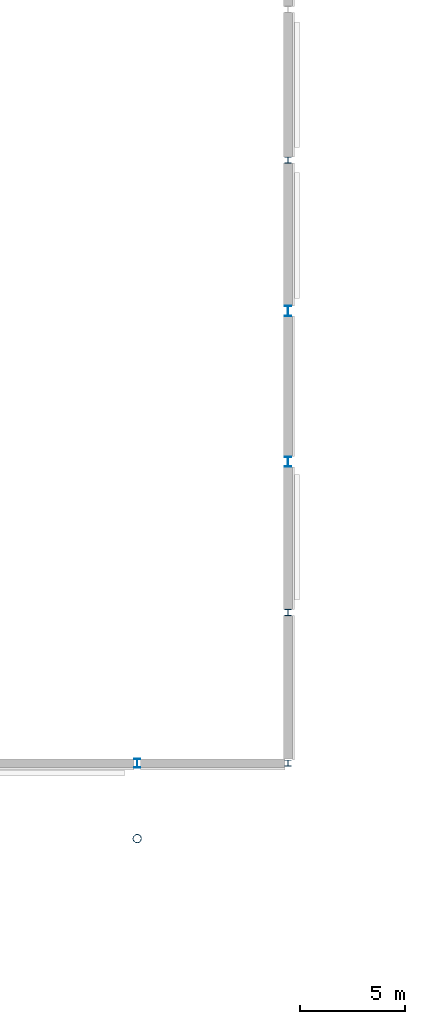
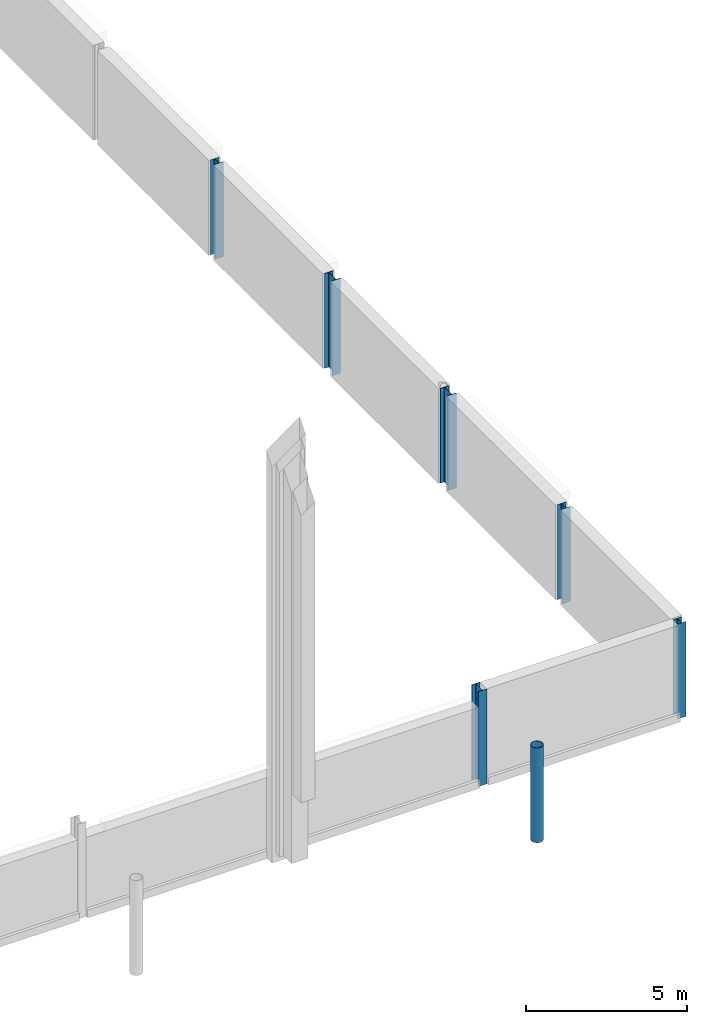
# One storey, part 17 of 90: 7 columns.
"""IFC4 building model written with IfcOpenShell, lengths in metres."""

from ifc_helpers import new_model, si_unit, direction, frame, origin, origin_2d, place, context, subcontext, project, spatial, hollow_circle, i_section, extrude, material, material_profile, profile_set, type_object, element, save


model = new_model("IFC4")

# Units and contexts
model_context = context("Model", 3, precision=1e-05, world=origin(), true_north=direction((0.0, 1.0)))
body_context = subcontext(model_context, "Body", "Model", "MODEL_VIEW")
ifc_project = project(units=[si_unit("LENGTHUNIT", "METRE"), si_unit("AREAUNIT", "SQUARE_METRE"), si_unit("VOLUMEUNIT", "CUBIC_METRE"), si_unit("PLANEANGLEUNIT", "RADIAN"), si_unit("MASSUNIT", "GRAM", prefix="KILO")], contexts=[model_context])

# Site, building, storey
site_placement = place(None, origin())
site = spatial("IfcSite", under=ifc_project, at=site_placement, CompositionType="ELEMENT")
building_placement = place(site_placement, origin())
building = spatial("IfcBuilding", under=site, at=building_placement, Name="Kupolbacken Congress Centre", CompositionType="ELEMENT")
storey_placement = place(building_placement, frame((0.0, 0.0, 3.60009765625)))
storey = spatial("IfcBuildingStorey", under=building, at=storey_placement, Name="L01", CompositionType="ELEMENT", Elevation=3.60009765625)

# Columns
ifc_material_1 = material(Name="Steel S355", Category="steel")
ifc_material_profile_1 = material_profile(ifc_material_1, i_section(OverallWidth=0.300048828125, OverallDepth=0.43994140625, WebThickness=0.011474609375, FlangeThickness=0.02099609375, FilletRadius=0.027099609375, at=origin_2d()), Name="HEA 450")
ifc_profile_set_1 = profile_set([ifc_material_profile_1], Name="Steel S355")
column_type_1 = type_object("IfcColumnType", Name="C07 column HEA 450", PredefinedType="COLUMN", material=ifc_profile_set_1)
column_1_placement = place(storey_placement, frame((194.39990234375, 43.199951171875, 0.0), z_axis=(0.0, 0.0, 1.0), x_axis=(1.0, 0.0, 0.0)))
element("IfcColumn", 1, at=column_1_placement, inside=storey, type_object=column_type_1, Name="S/col/C-H-T8S/L01", PredefinedType="COLUMN", context=body_context, shape_type="SweptSolid", body=[
    extrude(i_section(OverallWidth=0.300048828125, OverallDepth=0.43994140625, WebThickness=0.011474609375, FlangeThickness=0.02099609375, FilletRadius=0.027099609375, at=origin_2d()), origin(), (0.0, 0.0, 1.0), 3.599853515625),
])
ifc_material_2 = material(Name="Steel S355", Category="steel")
ifc_material_profile_2 = material_profile(ifc_material_2, i_section(OverallWidth=0.300048828125, OverallDepth=0.2900390625, WebThickness=0.008544921875, FlangeThickness=0.013916015625, FilletRadius=0.027099609375, at=origin_2d()), Name="HEA 300")
ifc_profile_set_2 = profile_set([ifc_material_profile_2], Name="Steel S355")
column_type_2 = type_object("IfcColumnType", Name="C09 column HEA 300", PredefinedType="COLUMN", material=ifc_profile_set_2)
for number, where, z_axis, x_axis, name in (
    (2, (201.60009765625, 43.199951171875, 0.0), (0.0, 0.0, 1.0), (1.0, 0.0, 0.0), "S/col/C-H-PE01/L01"),
    (3, (201.60009765625, 50.39990234375, 0.0), (0.0, 0.0, 1.0), (1.0, 0.0, 0.0), "S/col/C-H-PE02/L01"),
    (4, (201.60009765625, 72.0, 0.0), (0.0, 0.0, 1.0), (1.0, 0.0, 0.0), "S/col/C-H-PE05/L01"),
):
    element("IfcColumn", number, at=place(storey_placement, frame(where, z_axis=z_axis, x_axis=x_axis)), inside=storey, type_object=column_type_2, Name=name, PredefinedType="COLUMN", context=body_context, shape_type="SweptSolid", body=[
        extrude(i_section(OverallWidth=0.300048828125, OverallDepth=0.2900390625, WebThickness=0.008544921875, FlangeThickness=0.013916015625, FilletRadius=0.027099609375, at=origin_2d()), origin(), (0.0, 0.0, 1.0), 3.599853515625),
    ])
ifc_material_3 = material(Name="Steel S355", Category="steel")
ifc_material_profile_3 = material_profile(ifc_material_3, i_section(OverallWidth=0.300048828125, OverallDepth=0.489990234375, WebThickness=0.011962890625, FlangeThickness=0.02294921875, FilletRadius=0.027099609375, at=origin_2d()), Name="HEA 500")
ifc_profile_set_3 = profile_set([ifc_material_profile_3], Name="Steel S355")
column_type_3 = type_object("IfcColumnType", Name="C14 column HEA 500", PredefinedType="COLUMN", material=ifc_profile_set_3)
for number, where, z_axis, x_axis, name in (
    (5, (201.60009765625, 57.60009765625, 0.0), (0.0, 0.0, 1.0), (1.0, 0.0, 0.0), "S/col/C-H-PE03/L01"),
    (6, (201.60009765625, 64.800048828125, 0.0), (0.0, 0.0, 1.0), (1.0, 0.0, 0.0), "S/col/C-H-PE04/L01"),
):
    element("IfcColumn", number, at=place(storey_placement, frame(where, z_axis=z_axis, x_axis=x_axis)), inside=storey, type_object=column_type_3, Name=name, PredefinedType="COLUMN", context=body_context, shape_type="SweptSolid", body=[
        extrude(i_section(OverallWidth=0.300048828125, OverallDepth=0.489990234375, WebThickness=0.011962890625, FlangeThickness=0.02294921875, FilletRadius=0.027099609375, at=origin_2d()), origin(), (0.0, 0.0, 1.0), 3.599853515625),
    ])
ifc_material_4 = material(Name="Steel S355", Category="steel")
ifc_material_profile_4 = material_profile(ifc_material_4, hollow_circle(Radius=0.203125, WallThickness=0.01611328125, at=origin_2d()), Name="CHS 406.4 x 16")
ifc_profile_set_4 = profile_set([ifc_material_profile_4], Name="Steel S355")
column_type_4 = type_object("IfcColumnType", Name="C15 roof mast CHS 406.4 x 16", PredefinedType="COLUMN", material=ifc_profile_set_4)
column_2_placement = place(storey_placement, frame((194.39990234375, 39.60009765625, 0.0), z_axis=(0.0, 0.0, 1.0), x_axis=(1.0, 0.0, 0.0)))
element("IfcColumn", 7, at=column_2_placement, inside=storey, type_object=column_type_4, Name="Roof mast M8S", PredefinedType="COLUMN", context=body_context, shape_type="SweptSolid", body=[
    extrude(hollow_circle(Radius=0.203125, WallThickness=0.01611328125, at=origin_2d()), origin(), (0.0, 0.0, 1.0), 3.599853515625),
])

save(model, "model.ifc")
